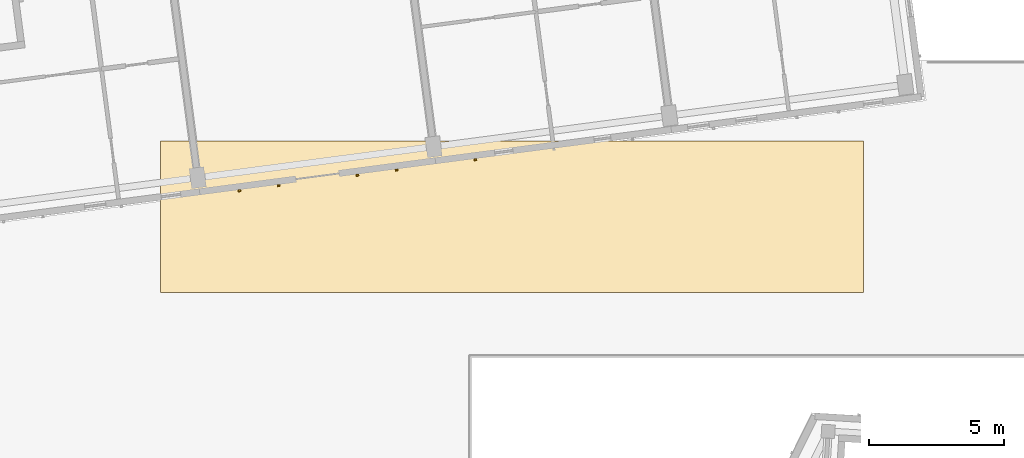
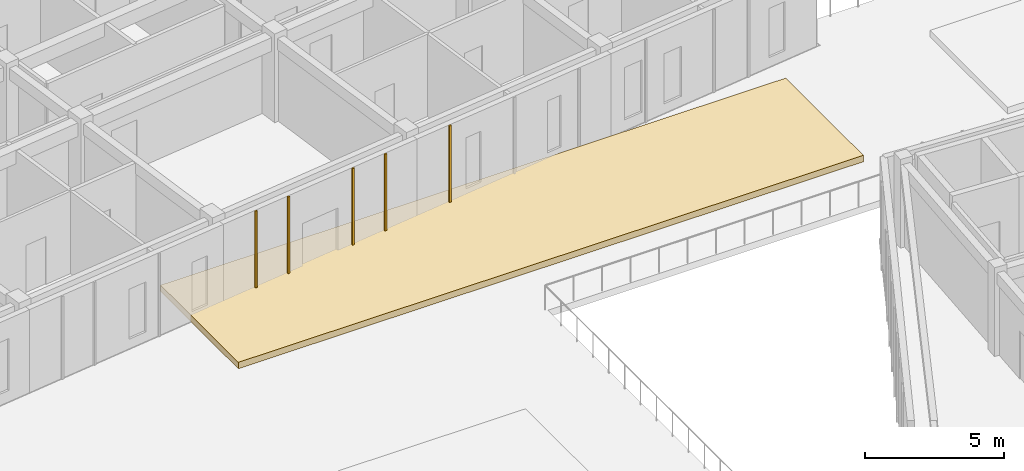
# One storey, part 126 of 150: 6 coverings.
"""IFC4 building model written with IfcOpenShell, lengths in metres."""

from ifc_helpers import new_model, si_unit, direction, frame, origin, origin_2d, place, context, subcontext, project, spatial, polyline, rectangle, outline, extrude, material, layer, layer_set, type_object, element, save


model = new_model("IFC4")

# Units and contexts
model_context = context("Model", 3, precision=1e-05, world=origin(), true_north=direction((0.0, 1.0)))
body_context = subcontext(model_context, "Body", "Model", "MODEL_VIEW")
ifc_project = project(units=[si_unit("LENGTHUNIT", "METRE"), si_unit("AREAUNIT", "SQUARE_METRE"), si_unit("VOLUMEUNIT", "CUBIC_METRE"), si_unit("PLANEANGLEUNIT", "RADIAN"), si_unit("MASSUNIT", "GRAM", prefix="KILO")], contexts=[model_context])

# Site, building, storey
site_placement = place(None, origin())
site = spatial("IfcSite", under=ifc_project, at=site_placement, CompositionType="ELEMENT")
building_placement = place(site_placement, origin())
building = spatial("IfcBuilding", under=site, at=building_placement, Name="Kestramere Prow Commons", CompositionType="ELEMENT")
storey_placement = place(building_placement, frame((0.0, 0.0, 4.5)))
storey = spatial("IfcBuildingStorey", under=building, at=storey_placement, Name="L01", CompositionType="ELEMENT", Elevation=4.5)

# Coverings
ifc_material_1 = material(Name="Weathered Zinc-Titanium Standing-Seam Cladding")
ifc_layer_1 = layer(ifc_material_1, 0.074951171875)
ifc_layer_set_1 = layer_set([ifc_layer_1], Name="Weathered Zinc-Titanium Standing-Seam Cladding")
covering_type_1 = type_object("IfcCoveringType", Name="COV-CLAD-SEAM", PredefinedType="CLADDING", material=ifc_layer_set_1)
for number, where, z_axis, x_axis, name in (
    (1, (44.733154296875, 75.7314453125, -0.25), (0.0, 0.0, 1.0), (-0.991444861374, -0.13052619222, 0.0), "EW-A-L01-S-3 Standing-Seam Rib 1"),
    (2, (43.279052734375, 75.5400390625, -0.25), (0.0, 0.0, 1.0), (-0.991444861374, -0.13052619222, 0.0), "EW-A-L01-S-3 Standing-Seam Rib 2"),
    (3, (40.370849609375, 75.156982421875, -0.25), (0.0, 0.0, 1.0), (-0.991444861374, -0.13052619222, 0.0), "EW-A-L01-S-3 Standing-Seam Rib 4"),
    (4, (38.916748046875, 74.965576171875, -0.25), (0.0, 0.0, 1.0), (-0.991444861374, -0.13052619222, 0.0), "EW-A-L01-S-3 Standing-Seam Rib 5"),
    (5, (47.641357421875, 76.1142578125, -0.25), (0.0, 0.0, 1.0), (-0.991444861374, -0.13052619222, 0.0), "EW-A-L01-S-4 Standing-Seam Rib 5"),
):
    element("IfcCovering", number, at=place(storey_placement, frame(where, z_axis=z_axis, x_axis=x_axis)), inside=storey, type_object=covering_type_1, Name=name, PredefinedType="CLADDING", context=body_context, shape_type="SweptSolid", body=[
        extrude(rectangle(XDim=0.0849609375, YDim=0.06494140625, at=origin_2d()), origin(), (0.0, 0.0, 1.0), 3.89990234375),
    ])
ifc_material_2 = material(Name="Planted Tropical Rain-Garden Soil and Foliage")
ifc_layer_2 = layer(ifc_material_2, 0.280029296875)
ifc_layer_set_2 = layer_set([ifc_layer_2], Name="Planted Tropical Rain-Garden Soil and Foliage")
covering_type_2 = type_object("IfcCoveringType", Name="COV-PLANT-STRIP", PredefinedType="USERDEFINED", material=ifc_layer_set_2)
covering_placement = place(storey_placement, origin())
element("IfcCovering", 6, at=covering_placement, inside=storey, type_object=covering_type_2, Name="Raised Courtyard Planted Rain-Garden Bed PLST-CRT-C1", ObjectType="PLANTED STRIP", PredefinedType="USERDEFINED", context=body_context, shape_type="SweptSolid", body=[
    extrude(outline(polyline([(36.0, 71.199951171875), (36.0, 76.800048828125), (62.0, 76.800048828125), (62.0, 71.199951171875), (36.0, 71.199951171875)])), origin(), (0.0, 0.0, 1.0), 0.280029296875),
])

save(model, "model.ifc")
